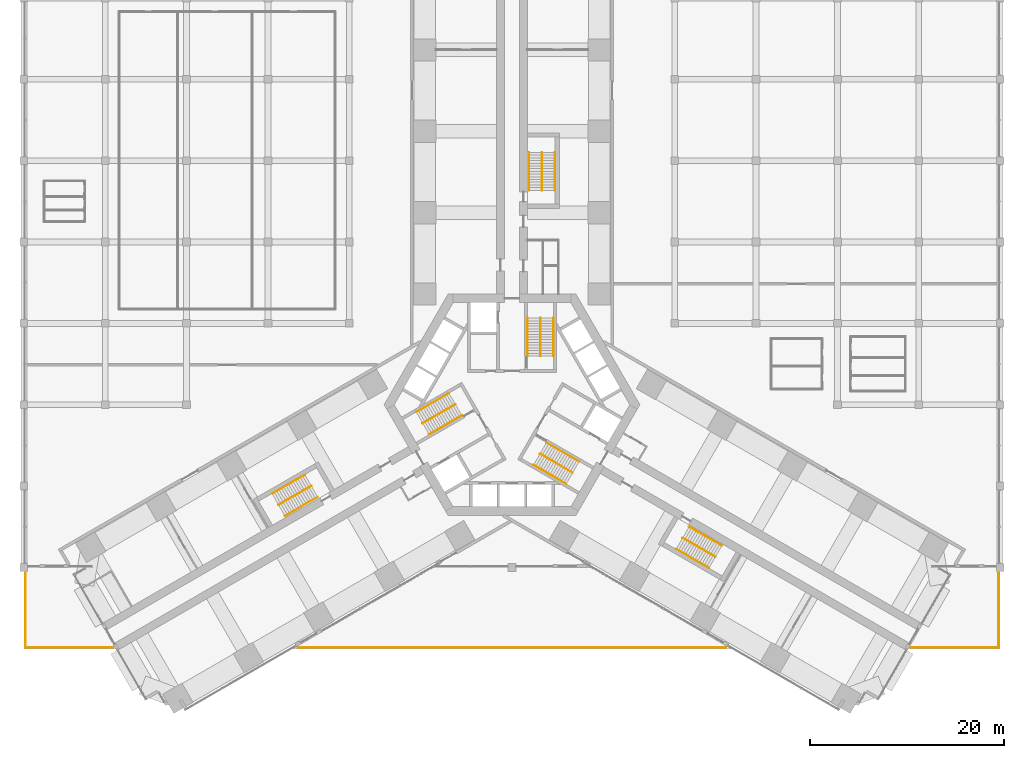
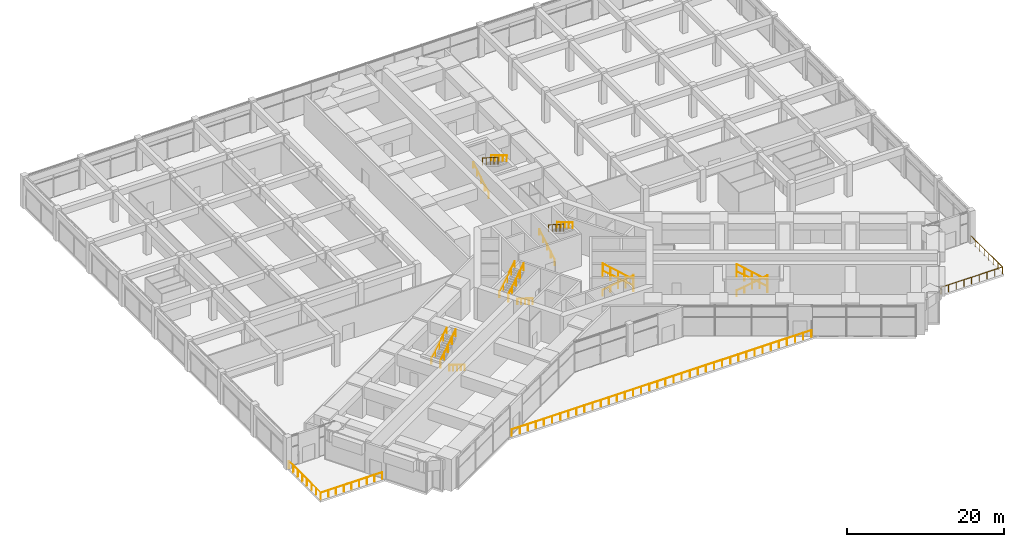
# One storey, part 34 of 34: 21 railings.
"""IFC4 building model written with IfcOpenShell, lengths in metres."""

from ifc_helpers import new_model, si_unit, direction, frame, origin, origin_2d, place, context, subcontext, project, spatial, circle, extrude, material, type_object, element, save


model = new_model("IFC4")

# Units and contexts
model_context = context("Model", 3, precision=1e-05, world=origin(), true_north=direction((0.0, 1.0)))
body_context = subcontext(model_context, "Body", "Model", "MODEL_VIEW")
ifc_project = project(units=[si_unit("LENGTHUNIT", "METRE"), si_unit("AREAUNIT", "SQUARE_METRE"), si_unit("VOLUMEUNIT", "CUBIC_METRE"), si_unit("PLANEANGLEUNIT", "RADIAN"), si_unit("MASSUNIT", "GRAM", prefix="KILO")], contexts=[model_context])

# Site, building, storey
site_placement = place(None, origin())
site = spatial("IfcSite", under=ifc_project, at=site_placement, CompositionType="ELEMENT")
building_placement = place(site_placement, origin())
building = spatial("IfcBuilding", under=site, at=building_placement, Name="Impinga Residences", CompositionType="ELEMENT")
storey_placement = place(building_placement, frame((0.0, 0.0, 16.0)))
storey = spatial("IfcBuildingStorey", under=building, at=storey_placement, Name="L03", CompositionType="ELEMENT", Elevation=16.0)

# Railings
ifc_material_1 = material(Name="Steel guard, powder coated", Category="steel")
railing_type_1 = type_object("IfcRailingType", Name="GR1 stair guard 1100", PredefinedType="GUARDRAIL", material=ifc_material_1)
railing_1_placement = place(storey_placement, frame((2.949951171875, 8.949951171875, 2.5)))
element("IfcRailing", 1, at=railing_1_placement, inside=storey, type_object=railing_type_1, Name="Stair guard GR1 ST1 L03", PredefinedType="GUARDRAIL", context=body_context, shape_type="SweptSolid", body=[
    extrude(circle(Radius=0.02392578125, at=origin_2d()), frame((0.0, 0.0, 1.076171875), z_axis=(0.0, -0.843124831705, 0.537717879712), x_axis=(1.0, 0.0, 0.0)), (0.0, 0.0, 1.0), 4.649169921875),
    extrude(circle(Radius=0.02099609375, at=origin_2d()), origin(), (0.0, 0.0, 1.0), 1.052001953125),
    extrude(circle(Radius=0.02099609375, at=origin_2d()), frame((0.0, -0.97998046875, 0.625)), (0.0, 0.0, 1.0), 1.052001953125),
    extrude(circle(Radius=0.02099609375, at=origin_2d()), frame((0.0, -1.9599609375, 1.25)), (0.0, 0.0, 1.0), 1.052001953125),
    extrude(circle(Radius=0.02099609375, at=origin_2d()), frame((0.0, -2.93994140625, 1.875)), (0.0, 0.0, 1.0), 1.052001953125),
    extrude(circle(Radius=0.02099609375, at=origin_2d()), frame((0.0, -3.919921875, 2.5)), (0.0, 0.0, 1.0), 1.052001953125),
])
railing_2_placement = place(storey_placement, frame((-9.225830078125, -1.920166015625, 2.5)))
element("IfcRailing", 2, at=railing_2_placement, inside=storey, type_object=railing_type_1, Name="Stair guard GR1 ST2 L03", PredefinedType="GUARDRAIL", context=body_context, shape_type="SweptSolid", body=[
    extrude(circle(Radius=0.02392578125, at=origin_2d()), frame((0.0, 0.0, 1.076171875), z_axis=(0.730169879136, 0.421560862259, 0.537715898048), x_axis=(-0.499997407846, 0.86602690036, 0.0)), (0.0, 0.0, 1.0), 4.6494140625),
    extrude(circle(Radius=0.02099609375, at=origin_2d()), origin(), (0.0, 0.0, 1.0), 1.052001953125),
    extrude(circle(Radius=0.02099609375, at=origin_2d()), frame((0.8486328125, 0.489990234375, 0.625)), (0.0, 0.0, 1.0), 1.052001953125),
    extrude(circle(Radius=0.02099609375, at=origin_2d()), frame((1.697265625, 0.97998046875, 1.25)), (0.0, 0.0, 1.0), 1.052001953125),
    extrude(circle(Radius=0.02099609375, at=origin_2d()), frame((2.546142578125, 1.469970703125, 1.875)), (0.0, 0.0, 1.0), 1.052001953125),
    extrude(circle(Radius=0.02099609375, at=origin_2d()), frame((3.394775390625, 1.9599609375, 2.5)), (0.0, 0.0, 1.0), 1.052001953125),
])
railing_3_placement = place(storey_placement, frame((6.27587890625, -7.02978515625, 2.5)))
element("IfcRailing", 3, at=railing_3_placement, inside=storey, type_object=railing_type_1, Name="Stair guard GR1 ST3 L03", PredefinedType="GUARDRAIL", context=body_context, shape_type="SweptSolid", body=[
    extrude(circle(Radius=0.02392578125, at=origin_2d()), frame((0.0, 0.0, 1.076171875), z_axis=(-0.730169879136, 0.421560862259, 0.537715898048), x_axis=(-0.499997407846, -0.86602690036, 0.0)), (0.0, 0.0, 1.0), 4.6494140625),
    extrude(circle(Radius=0.02099609375, at=origin_2d()), origin(), (0.0, 0.0, 1.0), 1.052001953125),
    extrude(circle(Radius=0.02099609375, at=origin_2d()), frame((-0.8486328125, 0.489990234375, 0.625)), (0.0, 0.0, 1.0), 1.052001953125),
    extrude(circle(Radius=0.02099609375, at=origin_2d()), frame((-1.697265625, 0.97998046875, 1.25)), (0.0, 0.0, 1.0), 1.052001953125),
    extrude(circle(Radius=0.02099609375, at=origin_2d()), frame((-2.546142578125, 1.469970703125, 1.875)), (0.0, 0.0, 1.0), 1.052001953125),
    extrude(circle(Radius=0.02099609375, at=origin_2d()), frame((-3.394775390625, 1.9599609375, 2.5)), (0.0, 0.0, 1.0), 1.052001953125),
])
railing_4_placement = place(storey_placement, frame((3.10009765625, 26.051513671875, 2.5)))
element("IfcRailing", 4, at=railing_4_placement, inside=storey, type_object=railing_type_1, Name="Stair guard GR1 WS1 L03", PredefinedType="GUARDRAIL", context=body_context, shape_type="SweptSolid", body=[
    extrude(circle(Radius=0.02392578125, at=origin_2d()), frame((0.0, 0.0, 1.076171875), z_axis=(0.0, -0.843124831705, 0.537717879712), x_axis=(1.0, 0.0, 0.0)), (0.0, 0.0, 1.0), 4.649169921875),
    extrude(circle(Radius=0.02099609375, at=origin_2d()), origin(), (0.0, 0.0, 1.0), 1.052001953125),
    extrude(circle(Radius=0.02099609375, at=origin_2d()), frame((0.0, -0.97998046875, 0.625)), (0.0, 0.0, 1.0), 1.052001953125),
    extrude(circle(Radius=0.02099609375, at=origin_2d()), frame((0.0, -1.9599609375, 1.25)), (0.0, 0.0, 1.0), 1.052001953125),
    extrude(circle(Radius=0.02099609375, at=origin_2d()), frame((0.0, -2.93994140625, 1.875)), (0.0, 0.0, 1.0), 1.052001953125),
    extrude(circle(Radius=0.02099609375, at=origin_2d()), frame((0.0, -3.919921875, 2.5)), (0.0, 0.0, 1.0), 1.052001953125),
])
railing_5_placement = place(storey_placement, frame((-24.111328125, -10.341064453125, 2.5)))
element("IfcRailing", 5, at=railing_5_placement, inside=storey, type_object=railing_type_1, Name="Stair guard GR1 WS2 L03", PredefinedType="GUARDRAIL", context=body_context, shape_type="SweptSolid", body=[
    extrude(circle(Radius=0.02392578125, at=origin_2d()), frame((0.0, 0.0, 1.076171875), z_axis=(0.730169879136, 0.421560862259, 0.537715898048), x_axis=(-0.499997407846, 0.86602690036, 0.0)), (0.0, 0.0, 1.0), 4.6494140625),
    extrude(circle(Radius=0.02099609375, at=origin_2d()), origin(), (0.0, 0.0, 1.0), 1.052001953125),
    extrude(circle(Radius=0.02099609375, at=origin_2d()), frame((0.8486328125, 0.489990234375, 0.625)), (0.0, 0.0, 1.0), 1.052001953125),
    extrude(circle(Radius=0.02099609375, at=origin_2d()), frame((1.697265625, 0.97998046875, 1.25)), (0.0, 0.0, 1.0), 1.052001953125),
    extrude(circle(Radius=0.02099609375, at=origin_2d()), frame((2.546142578125, 1.469970703125, 1.875)), (0.0, 0.0, 1.0), 1.052001953125),
    extrude(circle(Radius=0.02099609375, at=origin_2d()), frame((3.394775390625, 1.9599609375, 2.5)), (0.0, 0.0, 1.0), 1.052001953125),
])
railing_6_placement = place(storey_placement, frame((21.01123046875, -15.71044921875, 2.5)))
element("IfcRailing", 6, at=railing_6_placement, inside=storey, type_object=railing_type_1, Name="Stair guard GR1 WS3 L03", PredefinedType="GUARDRAIL", context=body_context, shape_type="SweptSolid", body=[
    extrude(circle(Radius=0.02392578125, at=origin_2d()), frame((0.0, 0.0, 1.076171875), z_axis=(-0.730169879136, 0.421560862259, 0.537715898048), x_axis=(-0.499997407846, -0.86602690036, 0.0)), (0.0, 0.0, 1.0), 4.6494140625),
    extrude(circle(Radius=0.02099609375, at=origin_2d()), origin(), (0.0, 0.0, 1.0), 1.052001953125),
    extrude(circle(Radius=0.02099609375, at=origin_2d()), frame((-0.8486328125, 0.489990234375, 0.625)), (0.0, 0.0, 1.0), 1.052001953125),
    extrude(circle(Radius=0.02099609375, at=origin_2d()), frame((-1.697265625, 0.97998046875, 1.25)), (0.0, 0.0, 1.0), 1.052001953125),
    extrude(circle(Radius=0.02099609375, at=origin_2d()), frame((-2.546142578125, 1.469970703125, 1.875)), (0.0, 0.0, 1.0), 1.052001953125),
    extrude(circle(Radius=0.02099609375, at=origin_2d()), frame((-3.394775390625, 1.9599609375, 2.5)), (0.0, 0.0, 1.0), 1.052001953125),
])
ifc_material_2 = material(Name="Laminated glass guard, stainless steel top rail", Category="steel")
railing_type_2 = type_object("IfcRailingType", Name="GT1 terrace guard 1100, glass infill", PredefinedType="GUARDRAIL", material=ifc_material_2)
railing_7_placement = place(storey_placement, frame((-41.173828125, -25.050048828125, 0.0)))
element("IfcRailing", 7, at=railing_7_placement, inside=storey, type_object=railing_type_2, Name="Terrace guard GT1 L03", PredefinedType="GUARDRAIL", context=body_context, shape_type="SweptSolid", body=[
    extrude(circle(Radius=0.02392578125, at=origin_2d()), frame((0.0, 0.0, 1.076171875), z_axis=(-1.0, 0.0, 0.0), x_axis=(0.0, -1.0, 0.0)), (0.0, 0.0, 1.0), 9.076171875),
    extrude(circle(Radius=0.02392578125, at=origin_2d()), frame((-9.076171875, 0.0, 1.076171875), z_axis=(0.0, 1.0, 0.0), x_axis=(-1.0, 0.0, 0.0)), (0.0, 0.0, 1.0), 8.09912109375),
    extrude(circle(Radius=0.02099609375, at=origin_2d()), origin(), (0.0, 0.0, 1.0), 1.052001953125),
    extrude(circle(Radius=0.02099609375, at=origin_2d()), frame((-1.134521484375, 0.0, 0.0)), (0.0, 0.0, 1.0), 1.052001953125),
    extrude(circle(Radius=0.02099609375, at=origin_2d()), frame((-2.26904296875, 0.0, 0.0)), (0.0, 0.0, 1.0), 1.052001953125),
    extrude(circle(Radius=0.02099609375, at=origin_2d()), frame((-3.403564453125, 0.0, 0.0)), (0.0, 0.0, 1.0), 1.052001953125),
    extrude(circle(Radius=0.02099609375, at=origin_2d()), frame((-4.5380859375, 0.0, 0.0)), (0.0, 0.0, 1.0), 1.052001953125),
    extrude(circle(Radius=0.02099609375, at=origin_2d()), frame((-5.672607421875, 0.0, 0.0)), (0.0, 0.0, 1.0), 1.052001953125),
    extrude(circle(Radius=0.02099609375, at=origin_2d()), frame((-6.80712890625, 0.0, 0.0)), (0.0, 0.0, 1.0), 1.052001953125),
    extrude(circle(Radius=0.02099609375, at=origin_2d()), frame((-7.941650390625, 0.0, 0.0)), (0.0, 0.0, 1.0), 1.052001953125),
    extrude(circle(Radius=0.02099609375, at=origin_2d()), frame((-9.076171875, 0.0, 0.0)), (0.0, 0.0, 1.0), 1.052001953125),
    extrude(circle(Radius=0.02099609375, at=origin_2d()), frame((-9.076171875, 1.156982421875, 0.0)), (0.0, 0.0, 1.0), 1.052001953125),
    extrude(circle(Radius=0.02099609375, at=origin_2d()), frame((-9.076171875, 2.31396484375, 0.0)), (0.0, 0.0, 1.0), 1.052001953125),
    extrude(circle(Radius=0.02099609375, at=origin_2d()), frame((-9.076171875, 3.470947265625, 0.0)), (0.0, 0.0, 1.0), 1.052001953125),
    extrude(circle(Radius=0.02099609375, at=origin_2d()), frame((-9.076171875, 4.628173828125, 0.0)), (0.0, 0.0, 1.0), 1.052001953125),
    extrude(circle(Radius=0.02099609375, at=origin_2d()), frame((-9.076171875, 5.78515625, 0.0)), (0.0, 0.0, 1.0), 1.052001953125),
    extrude(circle(Radius=0.02099609375, at=origin_2d()), frame((-9.076171875, 6.942138671875, 0.0)), (0.0, 0.0, 1.0), 1.052001953125),
    extrude(circle(Radius=0.02099609375, at=origin_2d()), frame((-9.076171875, 8.09912109375, 0.0)), (0.0, 0.0, 1.0), 1.052001953125),
])
railing_8_placement = place(storey_placement, frame((50.25, -16.950927734375, 0.0)))
element("IfcRailing", 8, at=railing_8_placement, inside=storey, type_object=railing_type_2, Name="Terrace guard GT1 L03", PredefinedType="GUARDRAIL", context=body_context, shape_type="SweptSolid", body=[
    extrude(circle(Radius=0.02392578125, at=origin_2d()), frame((0.0, 0.0, 1.076171875), z_axis=(0.0, -1.0, 0.0), x_axis=(1.0, 0.0, 0.0)), (0.0, 0.0, 1.0), 8.09912109375),
    extrude(circle(Radius=0.02392578125, at=origin_2d()), frame((0.0, -8.09912109375, 1.076171875), z_axis=(-1.0, 0.0, 0.0), x_axis=(0.0, -1.0, 0.0)), (0.0, 0.0, 1.0), 9.076171875),
    extrude(circle(Radius=0.02099609375, at=origin_2d()), origin(), (0.0, 0.0, 1.0), 1.052001953125),
    extrude(circle(Radius=0.02099609375, at=origin_2d()), frame((0.0, -1.156982421875, 0.0)), (0.0, 0.0, 1.0), 1.052001953125),
    extrude(circle(Radius=0.02099609375, at=origin_2d()), frame((0.0, -2.31396484375, 0.0)), (0.0, 0.0, 1.0), 1.052001953125),
    extrude(circle(Radius=0.02099609375, at=origin_2d()), frame((0.0, -3.470947265625, 0.0)), (0.0, 0.0, 1.0), 1.052001953125),
    extrude(circle(Radius=0.02099609375, at=origin_2d()), frame((0.0, -4.628173828125, 0.0)), (0.0, 0.0, 1.0), 1.052001953125),
    extrude(circle(Radius=0.02099609375, at=origin_2d()), frame((0.0, -5.78515625, 0.0)), (0.0, 0.0, 1.0), 1.052001953125),
    extrude(circle(Radius=0.02099609375, at=origin_2d()), frame((0.0, -6.942138671875, 0.0)), (0.0, 0.0, 1.0), 1.052001953125),
    extrude(circle(Radius=0.02099609375, at=origin_2d()), frame((0.0, -8.09912109375, 0.0)), (0.0, 0.0, 1.0), 1.052001953125),
    extrude(circle(Radius=0.02099609375, at=origin_2d()), frame((-1.134521484375, -8.09912109375, 0.0)), (0.0, 0.0, 1.0), 1.052001953125),
    extrude(circle(Radius=0.02099609375, at=origin_2d()), frame((-2.26904296875, -8.09912109375, 0.0)), (0.0, 0.0, 1.0), 1.052001953125),
    extrude(circle(Radius=0.02099609375, at=origin_2d()), frame((-3.403564453125, -8.09912109375, 0.0)), (0.0, 0.0, 1.0), 1.052001953125),
    extrude(circle(Radius=0.02099609375, at=origin_2d()), frame((-4.5380859375, -8.09912109375, 0.0)), (0.0, 0.0, 1.0), 1.052001953125),
    extrude(circle(Radius=0.02099609375, at=origin_2d()), frame((-5.672607421875, -8.09912109375, 0.0)), (0.0, 0.0, 1.0), 1.052001953125),
    extrude(circle(Radius=0.02099609375, at=origin_2d()), frame((-6.80712890625, -8.09912109375, 0.0)), (0.0, 0.0, 1.0), 1.052001953125),
    extrude(circle(Radius=0.02099609375, at=origin_2d()), frame((-7.941650390625, -8.09912109375, 0.0)), (0.0, 0.0, 1.0), 1.052001953125),
    extrude(circle(Radius=0.02099609375, at=origin_2d()), frame((-9.076171875, -8.09912109375, 0.0)), (0.0, 0.0, 1.0), 1.052001953125),
])
railing_9_placement = place(storey_placement, frame((22.0859375, -25.050048828125, 0.0)))
element("IfcRailing", 9, at=railing_9_placement, inside=storey, type_object=railing_type_2, Name="Terrace guard GT1 L03", PredefinedType="GUARDRAIL", context=body_context, shape_type="SweptSolid", body=[
    extrude(circle(Radius=0.02392578125, at=origin_2d()), frame((0.0, 0.0, 1.076171875), z_axis=(-1.0, 0.0, 0.0), x_axis=(0.0, -1.0, 0.0)), (0.0, 0.0, 1.0), 44.171875),
    extrude(circle(Radius=0.02099609375, at=origin_2d()), origin(), (0.0, 0.0, 1.0), 1.052001953125),
    extrude(circle(Radius=0.02099609375, at=origin_2d()), frame((-1.19384765625, 0.0, 0.0)), (0.0, 0.0, 1.0), 1.052001953125),
    extrude(circle(Radius=0.02099609375, at=origin_2d()), frame((-2.3876953125, 0.0, 0.0)), (0.0, 0.0, 1.0), 1.052001953125),
    extrude(circle(Radius=0.02099609375, at=origin_2d()), frame((-3.58154296875, 0.0, 0.0)), (0.0, 0.0, 1.0), 1.052001953125),
    extrude(circle(Radius=0.02099609375, at=origin_2d()), frame((-4.775390625, 0.0, 0.0)), (0.0, 0.0, 1.0), 1.052001953125),
    extrude(circle(Radius=0.02099609375, at=origin_2d()), frame((-5.96923828125, 0.0, 0.0)), (0.0, 0.0, 1.0), 1.052001953125),
    extrude(circle(Radius=0.02099609375, at=origin_2d()), frame((-7.1630859375, 0.0, 0.0)), (0.0, 0.0, 1.0), 1.052001953125),
    extrude(circle(Radius=0.02099609375, at=origin_2d()), frame((-8.35693359375, 0.0, 0.0)), (0.0, 0.0, 1.0), 1.052001953125),
    extrude(circle(Radius=0.02099609375, at=origin_2d()), frame((-9.55078125, 0.0, 0.0)), (0.0, 0.0, 1.0), 1.052001953125),
    extrude(circle(Radius=0.02099609375, at=origin_2d()), frame((-10.74462890625, 0.0, 0.0)), (0.0, 0.0, 1.0), 1.052001953125),
    extrude(circle(Radius=0.02099609375, at=origin_2d()), frame((-11.938232421875, 0.0, 0.0)), (0.0, 0.0, 1.0), 1.052001953125),
    extrude(circle(Radius=0.02099609375, at=origin_2d()), frame((-13.132080078125, 0.0, 0.0)), (0.0, 0.0, 1.0), 1.052001953125),
    extrude(circle(Radius=0.02099609375, at=origin_2d()), frame((-14.325927734375, 0.0, 0.0)), (0.0, 0.0, 1.0), 1.052001953125),
    extrude(circle(Radius=0.02099609375, at=origin_2d()), frame((-15.519775390625, 0.0, 0.0)), (0.0, 0.0, 1.0), 1.052001953125),
    extrude(circle(Radius=0.02099609375, at=origin_2d()), frame((-16.713623046875, 0.0, 0.0)), (0.0, 0.0, 1.0), 1.052001953125),
    extrude(circle(Radius=0.02099609375, at=origin_2d()), frame((-17.907470703125, 0.0, 0.0)), (0.0, 0.0, 1.0), 1.052001953125),
    extrude(circle(Radius=0.02099609375, at=origin_2d()), frame((-19.101318359375, 0.0, 0.0)), (0.0, 0.0, 1.0), 1.052001953125),
    extrude(circle(Radius=0.02099609375, at=origin_2d()), frame((-20.295166015625, 0.0, 0.0)), (0.0, 0.0, 1.0), 1.052001953125),
    extrude(circle(Radius=0.02099609375, at=origin_2d()), frame((-21.489013671875, 0.0, 0.0)), (0.0, 0.0, 1.0), 1.052001953125),
    extrude(circle(Radius=0.02099609375, at=origin_2d()), frame((-22.682861328125, 0.0, 0.0)), (0.0, 0.0, 1.0), 1.052001953125),
    extrude(circle(Radius=0.02099609375, at=origin_2d()), frame((-23.876708984375, 0.0, 0.0)), (0.0, 0.0, 1.0), 1.052001953125),
    extrude(circle(Radius=0.02099609375, at=origin_2d()), frame((-25.070556640625, 0.0, 0.0)), (0.0, 0.0, 1.0), 1.052001953125),
    extrude(circle(Radius=0.02099609375, at=origin_2d()), frame((-26.264404296875, 0.0, 0.0)), (0.0, 0.0, 1.0), 1.052001953125),
    extrude(circle(Radius=0.02099609375, at=origin_2d()), frame((-27.458251953125, 0.0, 0.0)), (0.0, 0.0, 1.0), 1.052001953125),
    extrude(circle(Radius=0.02099609375, at=origin_2d()), frame((-28.652099609375, 0.0, 0.0)), (0.0, 0.0, 1.0), 1.052001953125),
    extrude(circle(Radius=0.02099609375, at=origin_2d()), frame((-29.845947265625, 0.0, 0.0)), (0.0, 0.0, 1.0), 1.052001953125),
    extrude(circle(Radius=0.02099609375, at=origin_2d()), frame((-31.039794921875, 0.0, 0.0)), (0.0, 0.0, 1.0), 1.052001953125),
    extrude(circle(Radius=0.02099609375, at=origin_2d()), frame((-32.233642578125, 0.0, 0.0)), (0.0, 0.0, 1.0), 1.052001953125),
    extrude(circle(Radius=0.02099609375, at=origin_2d()), frame((-33.42724609375, 0.0, 0.0)), (0.0, 0.0, 1.0), 1.052001953125),
    extrude(circle(Radius=0.02099609375, at=origin_2d()), frame((-34.62109375, 0.0, 0.0)), (0.0, 0.0, 1.0), 1.052001953125),
    extrude(circle(Radius=0.02099609375, at=origin_2d()), frame((-35.81494140625, 0.0, 0.0)), (0.0, 0.0, 1.0), 1.052001953125),
    extrude(circle(Radius=0.02099609375, at=origin_2d()), frame((-37.0087890625, 0.0, 0.0)), (0.0, 0.0, 1.0), 1.052001953125),
    extrude(circle(Radius=0.02099609375, at=origin_2d()), frame((-38.20263671875, 0.0, 0.0)), (0.0, 0.0, 1.0), 1.052001953125),
    extrude(circle(Radius=0.02099609375, at=origin_2d()), frame((-39.396484375, 0.0, 0.0)), (0.0, 0.0, 1.0), 1.052001953125),
    extrude(circle(Radius=0.02099609375, at=origin_2d()), frame((-40.59033203125, 0.0, 0.0)), (0.0, 0.0, 1.0), 1.052001953125),
    extrude(circle(Radius=0.02099609375, at=origin_2d()), frame((-41.7841796875, 0.0, 0.0)), (0.0, 0.0, 1.0), 1.052001953125),
    extrude(circle(Radius=0.02099609375, at=origin_2d()), frame((-42.97802734375, 0.0, 0.0)), (0.0, 0.0, 1.0), 1.052001953125),
    extrude(circle(Radius=0.02099609375, at=origin_2d()), frame((-44.171875, 0.0, 0.0)), (0.0, 0.0, 1.0), 1.052001953125),
])
ifc_material_3 = material(Name="Steel handrail tube 42 mm, powder coated", Category="steel")
railing_type_3 = type_object("IfcRailingType", Name="HR1 stair handrail, 42 mm steel tube, 900 above the pitch line", PredefinedType="HANDRAIL", material=ifc_material_3)
railing_10_placement = place(storey_placement, frame((1.62109375, 5.030029296875, 0.166748046875)))
element("IfcRailing", 10, at=railing_10_placement, inside=storey, type_object=railing_type_3, Name="Stair handrail HR1 ST1 L03", PredefinedType="HANDRAIL", context=body_context, shape_type="SweptSolid", body=[
    extrude(circle(Radius=0.02099609375, at=origin_2d()), frame((0.0, 0.0, 0.87890625), z_axis=(0.0, 0.859296244711, 0.511478214419), x_axis=(-1.0, 0.0, 0.0)), (0.0, 0.0, 1.0), 4.561767578125),
    extrude(circle(Radius=0.012451171875, at=origin_2d()), origin(), (0.0, 0.0, 1.0), 0.85791015625),
    extrude(circle(Radius=0.012451171875, at=origin_2d()), frame((0.0, 0.97998046875, 0.583251953125)), (0.0, 0.0, 1.0), 0.85791015625),
    extrude(circle(Radius=0.012451171875, at=origin_2d()), frame((0.0, 1.9599609375, 1.16650390625)), (0.0, 0.0, 1.0), 0.85791015625),
    extrude(circle(Radius=0.012451171875, at=origin_2d()), frame((0.0, 2.93994140625, 1.75)), (0.0, 0.0, 1.0), 0.85791015625),
    extrude(circle(Radius=0.012451171875, at=origin_2d()), frame((0.0, 3.919921875, 2.333251953125)), (0.0, 0.0, 1.0), 0.85791015625),
])
railing_11_placement = place(storey_placement, frame((4.279052734375, 8.949951171875, 2.666748046875)))
element("IfcRailing", 11, at=railing_11_placement, inside=storey, type_object=railing_type_3, Name="Stair handrail HR1 ST1 L03", PredefinedType="HANDRAIL", context=body_context, shape_type="SweptSolid", body=[
    extrude(circle(Radius=0.02099609375, at=origin_2d()), frame((0.0, 0.0, 0.87890625), z_axis=(0.0, -0.859296244711, 0.511478214419), x_axis=(1.0, 0.0, 0.0)), (0.0, 0.0, 1.0), 4.561767578125),
    extrude(circle(Radius=0.012451171875, at=origin_2d()), origin(), (0.0, 0.0, 1.0), 0.85791015625),
    extrude(circle(Radius=0.012451171875, at=origin_2d()), frame((0.0, -0.97998046875, 0.583251953125)), (0.0, 0.0, 1.0), 0.85791015625),
    extrude(circle(Radius=0.012451171875, at=origin_2d()), frame((0.0, -1.9599609375, 1.16650390625)), (0.0, 0.0, 1.0), 0.85791015625),
    extrude(circle(Radius=0.012451171875, at=origin_2d()), frame((0.0, -2.93994140625, 1.75)), (0.0, 0.0, 1.0), 0.85791015625),
    extrude(circle(Radius=0.012451171875, at=origin_2d()), frame((0.0, -3.919921875, 2.333251953125)), (0.0, 0.0, 1.0), 0.85791015625),
])
railing_12_placement = place(storey_placement, frame((-5.16650390625, -1.111083984375, 0.166748046875)))
element("IfcRailing", 12, at=railing_12_placement, inside=storey, type_object=railing_type_3, Name="Stair handrail HR1 ST2 L03", PredefinedType="HANDRAIL", context=body_context, shape_type="SweptSolid", body=[
    extrude(circle(Radius=0.02099609375, at=origin_2d()), frame((0.0, 0.0, 0.87890625), z_axis=(-0.744181440101, -0.429673003205, 0.511444126495), x_axis=(0.500017148795, -0.866015502696, 0.0)), (0.0, 0.0, 1.0), 4.56201171875),
    extrude(circle(Radius=0.012451171875, at=origin_2d()), origin(), (0.0, 0.0, 1.0), 0.85791015625),
    extrude(circle(Radius=0.012451171875, at=origin_2d()), frame((-0.8486328125, -0.489990234375, 0.583251953125)), (0.0, 0.0, 1.0), 0.85791015625),
    extrude(circle(Radius=0.012451171875, at=origin_2d()), frame((-1.697509765625, -0.97998046875, 1.16650390625)), (0.0, 0.0, 1.0), 0.85791015625),
    extrude(circle(Radius=0.012451171875, at=origin_2d()), frame((-2.54638671875, -1.47021484375, 1.75)), (0.0, 0.0, 1.0), 0.85791015625),
    extrude(circle(Radius=0.012451171875, at=origin_2d()), frame((-3.39501953125, -1.960205078125, 2.333251953125)), (0.0, 0.0, 1.0), 0.85791015625),
])
railing_13_placement = place(storey_placement, frame((-9.890380859375, -0.769287109375, 2.666748046875)))
element("IfcRailing", 13, at=railing_13_placement, inside=storey, type_object=railing_type_3, Name="Stair handrail HR1 ST2 L03", PredefinedType="HANDRAIL", context=body_context, shape_type="SweptSolid", body=[
    extrude(circle(Radius=0.02099609375, at=origin_2d()), frame((0.0, 0.0, 0.87890625), z_axis=(0.744174672596, 0.429646477641, 0.511476256455), x_axis=(-0.499997407846, 0.86602690036, 0.0)), (0.0, 0.0, 1.0), 4.561767578125),
    extrude(circle(Radius=0.012451171875, at=origin_2d()), origin(), (0.0, 0.0, 1.0), 0.85791015625),
    extrude(circle(Radius=0.012451171875, at=origin_2d()), frame((0.8486328125, 0.489990234375, 0.583251953125)), (0.0, 0.0, 1.0), 0.85791015625),
    extrude(circle(Radius=0.012451171875, at=origin_2d()), frame((1.697265625, 0.97998046875, 1.16650390625)), (0.0, 0.0, 1.0), 0.85791015625),
    extrude(circle(Radius=0.012451171875, at=origin_2d()), frame((2.546142578125, 1.469970703125, 1.75)), (0.0, 0.0, 1.0), 0.85791015625),
    extrude(circle(Radius=0.012451171875, at=origin_2d()), frame((3.394775390625, 1.9599609375, 2.333251953125)), (0.0, 0.0, 1.0), 0.85791015625),
])
railing_14_placement = place(storey_placement, frame((3.545654296875, -3.9189453125, 0.166748046875)))
element("IfcRailing", 14, at=railing_14_placement, inside=storey, type_object=railing_type_3, Name="Stair handrail HR1 ST3 L03", PredefinedType="HANDRAIL", context=body_context, shape_type="SweptSolid", body=[
    extrude(circle(Radius=0.02099609375, at=origin_2d()), frame((0.0, 0.0, 0.87890625), z_axis=(0.744174672596, -0.429646477641, 0.511476256455), x_axis=(0.499997407846, 0.86602690036, 0.0)), (0.0, 0.0, 1.0), 4.561767578125),
    extrude(circle(Radius=0.012451171875, at=origin_2d()), origin(), (0.0, 0.0, 1.0), 0.85791015625),
    extrude(circle(Radius=0.012451171875, at=origin_2d()), frame((0.8486328125, -0.489990234375, 0.583251953125)), (0.0, 0.0, 1.0), 0.85791015625),
    extrude(circle(Radius=0.012451171875, at=origin_2d()), frame((1.697265625, -0.97998046875, 1.16650390625)), (0.0, 0.0, 1.0), 0.85791015625),
    extrude(circle(Radius=0.012451171875, at=origin_2d()), frame((2.546142578125, -1.469970703125, 1.75)), (0.0, 0.0, 1.0), 0.85791015625),
    extrude(circle(Radius=0.012451171875, at=origin_2d()), frame((3.394775390625, -1.9599609375, 2.333251953125)), (0.0, 0.0, 1.0), 0.85791015625),
])
railing_15_placement = place(storey_placement, frame((5.611328125, -8.1806640625, 2.666748046875)))
element("IfcRailing", 15, at=railing_15_placement, inside=storey, type_object=railing_type_3, Name="Stair handrail HR1 ST3 L03", PredefinedType="HANDRAIL", context=body_context, shape_type="SweptSolid", body=[
    extrude(circle(Radius=0.02099609375, at=origin_2d()), frame((0.0, 0.0, 0.87890625), z_axis=(-0.744174672596, 0.429646477641, 0.511476256455), x_axis=(-0.499997407846, -0.86602690036, 0.0)), (0.0, 0.0, 1.0), 4.561767578125),
    extrude(circle(Radius=0.012451171875, at=origin_2d()), origin(), (0.0, 0.0, 1.0), 0.85791015625),
    extrude(circle(Radius=0.012451171875, at=origin_2d()), frame((-0.8486328125, 0.489990234375, 0.583251953125)), (0.0, 0.0, 1.0), 0.85791015625),
    extrude(circle(Radius=0.012451171875, at=origin_2d()), frame((-1.697265625, 0.97998046875, 1.16650390625)), (0.0, 0.0, 1.0), 0.85791015625),
    extrude(circle(Radius=0.012451171875, at=origin_2d()), frame((-2.546142578125, 1.469970703125, 1.75)), (0.0, 0.0, 1.0), 0.85791015625),
    extrude(circle(Radius=0.012451171875, at=origin_2d()), frame((-3.394775390625, 1.9599609375, 2.333251953125)), (0.0, 0.0, 1.0), 0.85791015625),
])
railing_16_placement = place(storey_placement, frame((1.77099609375, 22.131591796875, 0.166748046875)))
element("IfcRailing", 16, at=railing_16_placement, inside=storey, type_object=railing_type_3, Name="Stair handrail HR1 WS1 L03", PredefinedType="HANDRAIL", context=body_context, shape_type="SweptSolid", body=[
    extrude(circle(Radius=0.02099609375, at=origin_2d()), frame((0.0, 0.0, 0.87890625), z_axis=(0.0, 0.859296244711, 0.511478214419), x_axis=(-1.0, 0.0, 0.0)), (0.0, 0.0, 1.0), 4.561767578125),
    extrude(circle(Radius=0.012451171875, at=origin_2d()), origin(), (0.0, 0.0, 1.0), 0.85791015625),
    extrude(circle(Radius=0.012451171875, at=origin_2d()), frame((0.0, 0.97998046875, 0.583251953125)), (0.0, 0.0, 1.0), 0.85791015625),
    extrude(circle(Radius=0.012451171875, at=origin_2d()), frame((0.0, 1.9599609375, 1.16650390625)), (0.0, 0.0, 1.0), 0.85791015625),
    extrude(circle(Radius=0.012451171875, at=origin_2d()), frame((0.0, 2.93994140625, 1.75)), (0.0, 0.0, 1.0), 0.85791015625),
    extrude(circle(Radius=0.012451171875, at=origin_2d()), frame((0.0, 3.919921875, 2.333251953125)), (0.0, 0.0, 1.0), 0.85791015625),
])
railing_17_placement = place(storey_placement, frame((4.428955078125, 26.051513671875, 2.666748046875)))
element("IfcRailing", 17, at=railing_17_placement, inside=storey, type_object=railing_type_3, Name="Stair handrail HR1 WS1 L03", PredefinedType="HANDRAIL", context=body_context, shape_type="SweptSolid", body=[
    extrude(circle(Radius=0.02099609375, at=origin_2d()), frame((0.0, 0.0, 0.87890625), z_axis=(0.0, -0.859296244711, 0.511478214419), x_axis=(1.0, 0.0, 0.0)), (0.0, 0.0, 1.0), 4.561767578125),
    extrude(circle(Radius=0.012451171875, at=origin_2d()), origin(), (0.0, 0.0, 1.0), 0.85791015625),
    extrude(circle(Radius=0.012451171875, at=origin_2d()), frame((0.0, -0.97998046875, 0.583251953125)), (0.0, 0.0, 1.0), 0.85791015625),
    extrude(circle(Radius=0.012451171875, at=origin_2d()), frame((0.0, -1.9599609375, 1.16650390625)), (0.0, 0.0, 1.0), 0.85791015625),
    extrude(circle(Radius=0.012451171875, at=origin_2d()), frame((0.0, -2.93994140625, 1.75)), (0.0, 0.0, 1.0), 0.85791015625),
    extrude(circle(Radius=0.012451171875, at=origin_2d()), frame((0.0, -3.919921875, 2.333251953125)), (0.0, 0.0, 1.0), 0.85791015625),
])
railing_18_placement = place(storey_placement, frame((-20.052001953125, -9.531982421875, 0.166748046875)))
element("IfcRailing", 18, at=railing_18_placement, inside=storey, type_object=railing_type_3, Name="Stair handrail HR1 WS2 L03", PredefinedType="HANDRAIL", context=body_context, shape_type="SweptSolid", body=[
    extrude(circle(Radius=0.02099609375, at=origin_2d()), frame((0.0, 0.0, 0.87890625), z_axis=(-0.744174672596, -0.429646477641, 0.511476256455), x_axis=(0.499997407846, -0.86602690036, 0.0)), (0.0, 0.0, 1.0), 4.561767578125),
    extrude(circle(Radius=0.012451171875, at=origin_2d()), origin(), (0.0, 0.0, 1.0), 0.85791015625),
    extrude(circle(Radius=0.012451171875, at=origin_2d()), frame((-0.8486328125, -0.489990234375, 0.583251953125)), (0.0, 0.0, 1.0), 0.85791015625),
    extrude(circle(Radius=0.012451171875, at=origin_2d()), frame((-1.697265625, -0.97998046875, 1.16650390625)), (0.0, 0.0, 1.0), 0.85791015625),
    extrude(circle(Radius=0.012451171875, at=origin_2d()), frame((-2.546142578125, -1.469970703125, 1.75)), (0.0, 0.0, 1.0), 0.85791015625),
    extrude(circle(Radius=0.012451171875, at=origin_2d()), frame((-3.394775390625, -1.9599609375, 2.333251953125)), (0.0, 0.0, 1.0), 0.85791015625),
])
railing_19_placement = place(storey_placement, frame((-24.77587890625, -9.190185546875, 2.666748046875)))
element("IfcRailing", 19, at=railing_19_placement, inside=storey, type_object=railing_type_3, Name="Stair handrail HR1 WS2 L03", PredefinedType="HANDRAIL", context=body_context, shape_type="SweptSolid", body=[
    extrude(circle(Radius=0.02099609375, at=origin_2d()), frame((0.0, 0.0, 0.87890625), z_axis=(0.744198551339, 0.429629366471, 0.511455886319), x_axis=(-0.499970440388, 0.866042469362, 0.0)), (0.0, 0.0, 1.0), 4.56201171875),
    extrude(circle(Radius=0.012451171875, at=origin_2d()), origin(), (0.0, 0.0, 1.0), 0.85791015625),
    extrude(circle(Radius=0.012451171875, at=origin_2d()), frame((0.8486328125, 0.489990234375, 0.583251953125)), (0.0, 0.0, 1.0), 0.85791015625),
    extrude(circle(Radius=0.012451171875, at=origin_2d()), frame((1.697509765625, 0.97998046875, 1.16650390625)), (0.0, 0.0, 1.0), 0.85791015625),
    extrude(circle(Radius=0.012451171875, at=origin_2d()), frame((2.54638671875, 1.469970703125, 1.75)), (0.0, 0.0, 1.0), 0.85791015625),
    extrude(circle(Radius=0.012451171875, at=origin_2d()), frame((3.39501953125, 1.9599609375, 2.333251953125)), (0.0, 0.0, 1.0), 0.85791015625),
])
railing_20_placement = place(storey_placement, frame((18.281005859375, -12.599609375, 0.166748046875)))
element("IfcRailing", 20, at=railing_20_placement, inside=storey, type_object=railing_type_3, Name="Stair handrail HR1 WS3 L03", PredefinedType="HANDRAIL", context=body_context, shape_type="SweptSolid", body=[
    extrude(circle(Radius=0.02099609375, at=origin_2d()), frame((0.0, 0.0, 0.87890625), z_axis=(0.744174672596, -0.429646477641, 0.511476256455), x_axis=(0.499997407846, 0.86602690036, 0.0)), (0.0, 0.0, 1.0), 4.561767578125),
    extrude(circle(Radius=0.012451171875, at=origin_2d()), origin(), (0.0, 0.0, 1.0), 0.85791015625),
    extrude(circle(Radius=0.012451171875, at=origin_2d()), frame((0.8486328125, -0.489990234375, 0.583251953125)), (0.0, 0.0, 1.0), 0.85791015625),
    extrude(circle(Radius=0.012451171875, at=origin_2d()), frame((1.697265625, -0.97998046875, 1.16650390625)), (0.0, 0.0, 1.0), 0.85791015625),
    extrude(circle(Radius=0.012451171875, at=origin_2d()), frame((2.546142578125, -1.469970703125, 1.75)), (0.0, 0.0, 1.0), 0.85791015625),
    extrude(circle(Radius=0.012451171875, at=origin_2d()), frame((3.394775390625, -1.9599609375, 2.333251953125)), (0.0, 0.0, 1.0), 0.85791015625),
])
railing_21_placement = place(storey_placement, frame((20.3466796875, -16.861328125, 2.666748046875)))
element("IfcRailing", 21, at=railing_21_placement, inside=storey, type_object=railing_type_3, Name="Stair handrail HR1 WS3 L03", PredefinedType="HANDRAIL", context=body_context, shape_type="SweptSolid", body=[
    extrude(circle(Radius=0.02099609375, at=origin_2d()), frame((0.0, 0.0, 0.87890625), z_axis=(-0.744174672596, 0.429646477641, 0.511476256455), x_axis=(-0.499997407846, -0.86602690036, 0.0)), (0.0, 0.0, 1.0), 4.561767578125),
    extrude(circle(Radius=0.012451171875, at=origin_2d()), origin(), (0.0, 0.0, 1.0), 0.85791015625),
    extrude(circle(Radius=0.012451171875, at=origin_2d()), frame((-0.8486328125, 0.489990234375, 0.583251953125)), (0.0, 0.0, 1.0), 0.85791015625),
    extrude(circle(Radius=0.012451171875, at=origin_2d()), frame((-1.697265625, 0.97998046875, 1.16650390625)), (0.0, 0.0, 1.0), 0.85791015625),
    extrude(circle(Radius=0.012451171875, at=origin_2d()), frame((-2.546142578125, 1.469970703125, 1.75)), (0.0, 0.0, 1.0), 0.85791015625),
    extrude(circle(Radius=0.012451171875, at=origin_2d()), frame((-3.394775390625, 1.9599609375, 2.333251953125)), (0.0, 0.0, 1.0), 0.85791015625),
])

save(model, "model.ifc")
